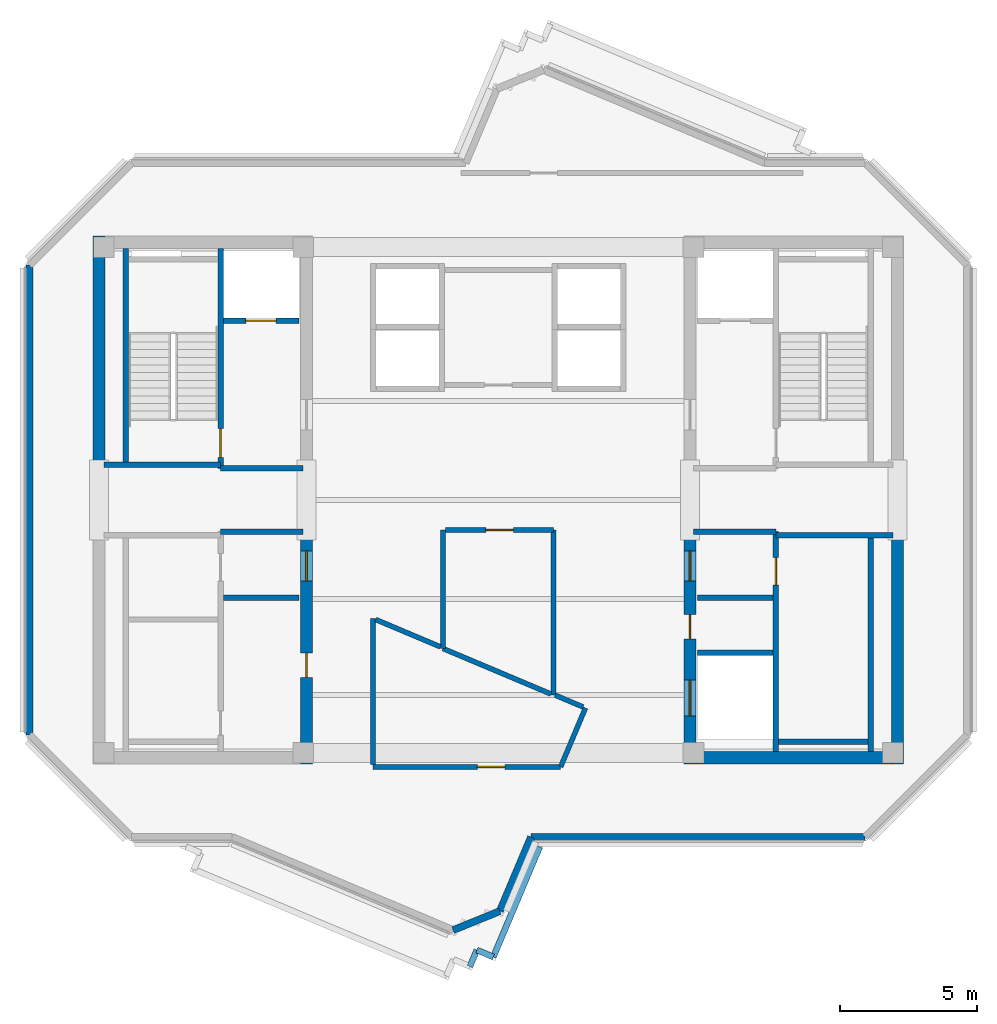
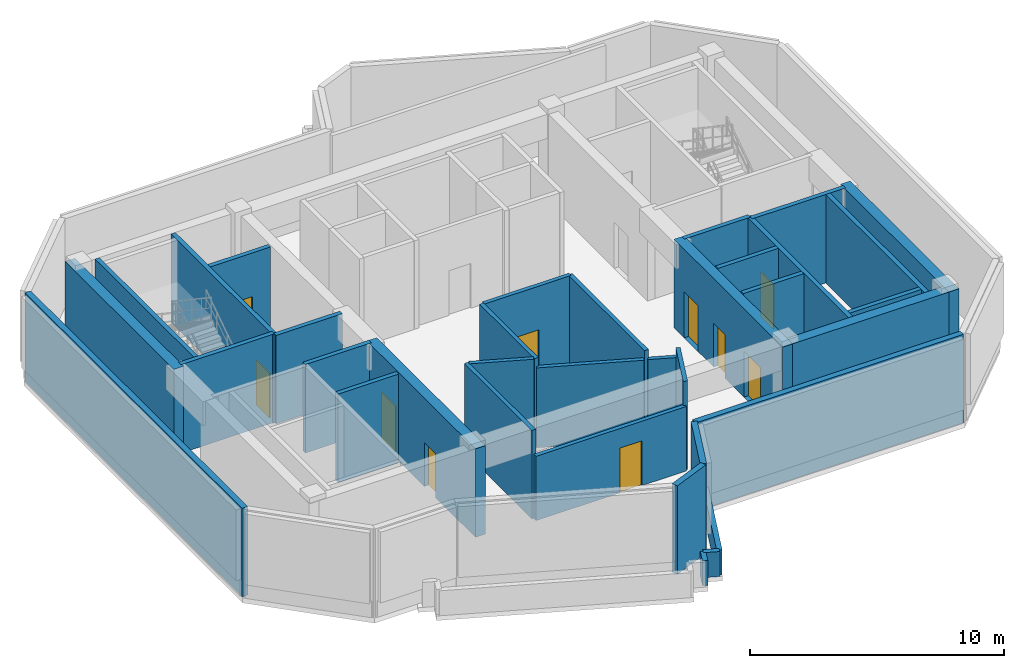
# One storey, part 2 of 6: 35 walls, 10 doors, 10 openings.
"""IFC4 building model written with IfcOpenShell, lengths in metres."""

from ifc_helpers import new_model, si_unit, direction, frame, frame_2d, origin, place, context, subcontext, project, spatial, rectangle, extrude, source, transform, mapped, material, layer, layer_set, type_object, element, fill, save


model = new_model("IFC4")

# Units and contexts
model_context = context("Model", 3, precision=1e-05, world=origin(), true_north=direction((0.0, 1.0)))
body_context = subcontext(model_context, "Body", "Model", "MODEL_VIEW")
ifc_project = project(units=[si_unit("LENGTHUNIT", "METRE"), si_unit("AREAUNIT", "SQUARE_METRE"), si_unit("VOLUMEUNIT", "CUBIC_METRE"), si_unit("PLANEANGLEUNIT", "RADIAN"), si_unit("MASSUNIT", "GRAM", prefix="KILO")], contexts=[model_context])

# Site, building, storey
site_placement = place(None, origin())
site = spatial("IfcSite", under=ifc_project, at=site_placement, CompositionType="ELEMENT")
building_placement = place(site_placement, origin())
building = spatial("IfcBuilding", under=site, at=building_placement, Name="Zahravan Cultural Tower", CompositionType="ELEMENT")
storey_placement = place(building_placement, frame((0.0, 0.0, 370.64990234375)))
storey = spatial("IfcBuildingStorey", under=building, at=storey_placement, Name="L90", CompositionType="ELEMENT", Elevation=370.64990234375)

# Wall, openings, doors
ifc_material_1 = material(Name="Concrete C50/60", Category="concrete")
ifc_layer_1 = layer(ifc_material_1, 0.449951171875)
ifc_layer_set_1 = layer_set([ifc_layer_1], Name="Concrete C50/60")
wall_type_1 = type_object("IfcWallType", Name="CW-SHEAR-450-C50", PredefinedType="SHEAR", material=ifc_layer_set_1)
wall_1_placement = place(storey_placement, frame((29.02490234375, 17.39990234375, 0.0), z_axis=(0.0, 0.0, 1.0), x_axis=(0.0, 1.0, 0.0)))
wall_1 = element("IfcWall", 1, at=wall_1_placement, inside=storey, type_object=wall_type_1, Name="L90 Core Shear Wall CW-W-ES-L90", PredefinedType="SHEAR", context=body_context, shape_type="SweptSolid", body=[
    extrude(rectangle(XDim=8.550048828125, YDim=0.449951171875, at=frame_2d((4.27490234375, 0.0))), origin(), (0.0, 0.0, 1.0), 4.25),
])
opening_1_placement = place(wall_1_placement, frame((6.64990234375, 0.0, 0.0)))
opening_1 = element("IfcOpeningElement", 2, at=opening_1_placement, cuts=wall_1, Name="Opening D-L90-08", PredefinedType="OPENING", context=body_context, shape_type="SweptSolid", body=[
    extrude(rectangle(XDim=1.10009765625, YDim=2.199951171875, at=frame_2d((0.550048828125, 1.10009765625))), frame((0.0, 0.23486328125, 0.0), z_axis=(0.0, -1.0, 0.0), x_axis=(1.0, 0.0, 0.0)), (0.0, 0.0, 1.0), 0.469970703125),
])
opening_2_placement = place(wall_1_placement, frame((3.14990234375, 0.0, 0.0)))
opening_2 = element("IfcOpeningElement", 3, at=opening_2_placement, cuts=wall_1, Name="Opening D-L90-10", PredefinedType="OPENING", context=body_context, shape_type="SweptSolid", body=[
    extrude(rectangle(XDim=0.8798828125, YDim=2.10009765625, at=frame_2d((0.43994140625, 1.050048828125))), frame((0.0, 0.23486328125, 0.0), z_axis=(0.0, -1.0, 0.0), x_axis=(1.0, 0.0, 0.0)), (0.0, 0.0, 1.0), 0.469970703125),
])
ifc_material_2 = material(Name="Steel ASTM A572 Grade 50", Category="steel")
door_type_1 = type_object("IfcDoorType", Name="DR-LOBBY-1100", OperationType="NOTDEFINED", PredefinedType="DOOR", material=ifc_material_2)
shared_shape_1 = source(origin(), body_context, "Body", "SweptSolid", [
    extrude(rectangle(XDim=1.10009765625, YDim=2.199951171875, at=frame_2d((0.550048828125, 1.10009765625))), frame((0.0, 0.02490234375, 0.0), z_axis=(0.0, -1.0, 0.0), x_axis=(1.0, 0.0, 0.0)), (0.0, 0.0, 1.0), 0.050048828125),
])
door_1_placement = place(opening_1_placement, origin())
door_1 = element("IfcDoor", 4, at=door_1_placement, inside=storey, type_object=door_type_1, Name="L90 Door D-L90-08", OperationType="SINGLE_SWING_RIGHT", OverallHeight=2.199951171875, OverallWidth=1.10009765625, PredefinedType="DOOR", context=body_context, shape_type="MappedRepresentation", body=[
    mapped(shared_shape_1, transform((0.0, 0.0, 0.0), x_axis=(1.0, 0.0, 0.0), y_axis=(0.0, 1.0, 0.0), z_axis=(0.0, 0.0, 1.0), scale=1.0)),
])
fill(opening_1, door_1)
door_type_2 = type_object("IfcDoorType", Name="DR-SVC-880", OperationType="NOTDEFINED", PredefinedType="DOOR", material=ifc_material_2)
shared_shape_2 = source(origin(), body_context, "Body", "SweptSolid", [
    extrude(rectangle(XDim=0.8798828125, YDim=2.10009765625, at=frame_2d((0.43994140625, 1.050048828125))), frame((0.0, 0.02490234375, 0.0), z_axis=(0.0, -1.0, 0.0), x_axis=(1.0, 0.0, 0.0)), (0.0, 0.0, 1.0), 0.050048828125),
])
door_2_placement = place(opening_2_placement, origin())
door_2 = element("IfcDoor", 5, at=door_2_placement, inside=storey, type_object=door_type_2, Name="L90 Door D-L90-10", OperationType="SINGLE_SWING_RIGHT", OverallHeight=2.10009765625, OverallWidth=0.8798828125, PredefinedType="DOOR", context=body_context, shape_type="MappedRepresentation", body=[
    mapped(shared_shape_2, transform((0.0, 0.0, 0.0), x_axis=(1.0, 0.0, 0.0), y_axis=(0.0, 1.0, 0.0), z_axis=(0.0, 0.0, 1.0), scale=1.0)),
])
fill(opening_2, door_2)

wall_2_placement = place(storey_placement, frame((42.97509765625, 17.39990234375, 0.0), z_axis=(0.0, 0.0, 1.0), x_axis=(0.0, 1.0, 0.0)))
wall_2 = element("IfcWall", 6, at=wall_2_placement, inside=storey, type_object=wall_type_1, Name="L90 Core Shear Wall CW-E-WS-L90", PredefinedType="SHEAR", context=body_context, shape_type="SweptSolid", body=[
    extrude(rectangle(XDim=8.550048828125, YDim=0.449951171875, at=frame_2d((4.27490234375, 0.0))), origin(), (0.0, 0.0, 1.0), 4.25),
])
opening_3_placement = place(wall_2_placement, frame((6.64990234375, 0.0, 0.0)))
opening_3 = element("IfcOpeningElement", 7, at=opening_3_placement, cuts=wall_2, Name="Opening D-L90-09", PredefinedType="OPENING", context=body_context, shape_type="SweptSolid", body=[
    extrude(rectangle(XDim=1.10009765625, YDim=2.199951171875, at=frame_2d((0.550048828125, 1.10009765625))), frame((0.0, 0.23486328125, 0.0), z_axis=(0.0, -1.0, 0.0), x_axis=(1.0, 0.0, 0.0)), (0.0, 0.0, 1.0), 0.469970703125),
])
opening_4_placement = place(wall_2_placement, frame((1.75, 0.0, 0.0)))
opening_4 = element("IfcOpeningElement", 8, at=opening_4_placement, cuts=wall_2, Name="Opening LD-L90-03", PredefinedType="OPENING", context=body_context, shape_type="SweptSolid", body=[
    extrude(rectangle(XDim=1.300048828125, YDim=2.199951171875, at=frame_2d((0.64990234375, 1.10009765625))), frame((0.0, 0.23486328125, 0.0), z_axis=(0.0, -1.0, 0.0), x_axis=(1.0, 0.0, 0.0)), (0.0, 0.0, 1.0), 0.469970703125),
])
opening_5_placement = place(wall_2_placement, frame((4.550048828125, 0.0, 0.0)))
opening_5 = element("IfcOpeningElement", 9, at=opening_5_placement, cuts=wall_2, Name="Opening D-L90-11", PredefinedType="OPENING", context=body_context, shape_type="SweptSolid", body=[
    extrude(rectangle(XDim=0.8798828125, YDim=2.10009765625, at=frame_2d((0.43994140625, 1.050048828125))), frame((0.0, 0.23486328125, 0.0), z_axis=(0.0, -1.0, 0.0), x_axis=(1.0, 0.0, 0.0)), (0.0, 0.0, 1.0), 0.469970703125),
])
door_3_placement = place(opening_3_placement, origin())
door_3 = element("IfcDoor", 10, at=door_3_placement, inside=storey, type_object=door_type_1, Name="L90 Door D-L90-09", OperationType="SINGLE_SWING_LEFT", OverallHeight=2.199951171875, OverallWidth=1.10009765625, PredefinedType="DOOR", context=body_context, shape_type="MappedRepresentation", body=[
    mapped(shared_shape_1, transform((0.0, 0.0, 0.0), x_axis=(1.0, 0.0, 0.0), y_axis=(0.0, 1.0, 0.0), z_axis=(0.0, 0.0, 1.0), scale=1.0)),
])
fill(opening_3, door_3)
door_type_3 = type_object("IfcDoorType", Name="DR-LIFT-1300", OperationType="DOUBLE_DOOR_SLIDING", PredefinedType="DOOR", material=ifc_material_2)
shared_shape_3 = source(origin(), body_context, "Body", "SweptSolid", [
    extrude(rectangle(XDim=1.300048828125, YDim=2.199951171875, at=frame_2d((0.64990234375, 1.10009765625))), frame((0.0, 0.02490234375, 0.0), z_axis=(0.0, -1.0, 0.0), x_axis=(1.0, 0.0, 0.0)), (0.0, 0.0, 1.0), 0.050048828125),
])
door_4_placement = place(opening_4_placement, origin())
door_4 = element("IfcDoor", 11, at=door_4_placement, inside=storey, type_object=door_type_3, Name="L90 Door LD-L90-03", OperationType="DOUBLE_DOOR_SLIDING", OverallHeight=2.199951171875, OverallWidth=1.300048828125, PredefinedType="DOOR", context=body_context, shape_type="MappedRepresentation", body=[
    mapped(shared_shape_3, transform((0.0, 0.0, 0.0), x_axis=(1.0, 0.0, 0.0), y_axis=(0.0, 1.0, 0.0), z_axis=(0.0, 0.0, 1.0), scale=1.0)),
])
fill(opening_4, door_4)
door_5_placement = place(opening_5_placement, origin())
door_5 = element("IfcDoor", 12, at=door_5_placement, inside=storey, type_object=door_type_2, Name="L90 Door D-L90-11", OperationType="SINGLE_SWING_LEFT", OverallHeight=2.10009765625, OverallWidth=0.8798828125, PredefinedType="DOOR", context=body_context, shape_type="MappedRepresentation", body=[
    mapped(shared_shape_2, transform((0.0, 0.0, 0.0), x_axis=(1.0, 0.0, 0.0), y_axis=(0.0, 1.0, 0.0), z_axis=(0.0, 0.0, 1.0), scale=1.0)),
])
fill(opening_5, door_5)

# Wall, opening, door
ifc_material_3 = material(Name="Gypsum plasterboard partition")
ifc_layer_2 = layer(ifc_material_3, 0.179931640625)
ifc_layer_set_2 = layer_set([ifc_layer_2], Name="Gypsum plasterboard partition")
wall_type_2 = type_object("IfcWallType", Name="W-COMP-180", PredefinedType="PARTITIONING", material=ifc_layer_set_2)
wall_3_placement = place(storey_placement, frame((34.0849609375, 25.909912109375, 0.0), z_axis=(0.0, 0.0, 1.0), x_axis=(1.0, 0.0, 0.0)))
wall_3 = element("IfcWall", 13, at=wall_3_placement, inside=storey, type_object=wall_type_2, Name="L90 Interior Wall 044", PredefinedType="PARTITIONING", context=body_context, shape_type="SweptSolid", body=[
    extrude(rectangle(XDim=3.925048828125, YDim=0.179931640625, at=frame_2d((1.96240234375, 0.0))), origin(), (0.0, 0.0, 1.0), 4.25),
])
opening_6_placement = place(wall_3_placement, frame((1.46240234375, 0.0, 0.0)))
opening_6 = element("IfcOpeningElement", 14, at=opening_6_placement, cuts=wall_3, Name="Opening D-L90-15", PredefinedType="OPENING", context=body_context, shape_type="SweptSolid", body=[
    extrude(rectangle(XDim=1.0, YDim=2.14990234375, at=frame_2d((0.5, 1.074951171875))), frame((0.0, 0.099853515625, 0.0), z_axis=(0.0, -1.0, 0.0), x_axis=(1.0, 0.0, 0.0)), (0.0, 0.0, 1.0), 0.199951171875),
])
door_type_4 = type_object("IfcDoorType", Name="DR-COMP-1000", OperationType="NOTDEFINED", PredefinedType="DOOR", material=ifc_material_2)
shared_shape_4 = source(origin(), body_context, "Body", "SweptSolid", [
    extrude(rectangle(XDim=1.0, YDim=2.14990234375, at=frame_2d((0.5, 1.074951171875))), frame((0.0, 0.02490234375, 0.0), z_axis=(0.0, -1.0, 0.0), x_axis=(1.0, 0.0, 0.0)), (0.0, 0.0, 1.0), 0.050048828125),
])
door_6_placement = place(opening_6_placement, origin())
door_6 = element("IfcDoor", 15, at=door_6_placement, inside=storey, type_object=door_type_4, Name="L90 Door D-L90-15", OperationType="SINGLE_SWING_LEFT", OverallHeight=2.14990234375, OverallWidth=1.0, PredefinedType="DOOR", context=body_context, shape_type="MappedRepresentation", body=[
    mapped(shared_shape_4, transform((0.0, 0.0, 0.0), x_axis=(1.0, 0.0, 0.0), y_axis=(0.0, 1.0, 0.0), z_axis=(0.0, 0.0, 1.0), scale=1.0)),
])
fill(opening_6, door_6)

wall_4_placement = place(storey_placement, frame((38.267333984375, 17.2900390625, 0.0), z_axis=(0.0, 0.0, 1.0), x_axis=(-1.0, 0.0, 0.0)))
wall_4 = element("IfcWall", 16, at=wall_4_placement, inside=storey, type_object=wall_type_2, Name="L90 Interior Wall 049", PredefinedType="PARTITIONING", context=body_context, shape_type="SweptSolid", body=[
    extrude(rectangle(XDim=6.827392578125, YDim=0.179931640625, at=frame_2d((3.41357421875, 0.0))), origin(), (0.0, 0.0, 1.0), 3.092041015625),
])
opening_7_placement = place(wall_4_placement, frame((2.031982421875, 0.0, 0.0)))
opening_7 = element("IfcOpeningElement", 17, at=opening_7_placement, cuts=wall_4, Name="Opening D-L90-14", PredefinedType="OPENING", context=body_context, shape_type="SweptSolid", body=[
    extrude(rectangle(XDim=1.0, YDim=2.14990234375, at=frame_2d((0.5, 1.074951171875))), frame((0.0, 0.099853515625, 0.0), z_axis=(0.0, -1.0, 0.0), x_axis=(1.0, 0.0, 0.0)), (0.0, 0.0, 1.0), 0.199951171875),
])
door_7_placement = place(opening_7_placement, origin())
door_7 = element("IfcDoor", 18, at=door_7_placement, inside=storey, type_object=door_type_4, Name="L90 Door D-L90-14", OperationType="SINGLE_SWING_RIGHT", OverallHeight=2.14990234375, OverallWidth=1.0, PredefinedType="DOOR", context=body_context, shape_type="MappedRepresentation", body=[
    mapped(shared_shape_4, transform((0.0, 0.0, 0.0), x_axis=(1.0, 0.0, 0.0), y_axis=(0.0, 1.0, 0.0), z_axis=(0.0, 0.0, 1.0), scale=1.0)),
])
fill(opening_7, door_7)

ifc_material_4 = material(Name="Concrete C45/55", Category="concrete")
ifc_layer_3 = layer(ifc_material_4, 0.199951171875)
ifc_layer_set_3 = layer_set([ifc_layer_3], Name="Concrete C45/55")
wall_type_3 = type_object("IfcWallType", Name="W-SHAFT-200", PredefinedType="SOLIDWALL", material=ifc_layer_set_3)
wall_5_placement = place(storey_placement, frame((25.89990234375, 28.14990234375, 0.0), z_axis=(0.0, 0.0, 1.0), x_axis=(0.0, 1.0, 0.0)))
wall_5 = element("IfcWall", 19, at=wall_5_placement, inside=storey, type_object=wall_type_3, Name="L90 Interior Wall 006", PredefinedType="SOLIDWALL", context=body_context, shape_type="SweptSolid", body=[
    extrude(rectangle(XDim=8.0, YDim=0.199951171875, at=frame_2d((4.0, 0.0))), origin(), (0.0, 0.0, 1.0), 4.25),
])
opening_8_placement = place(wall_5_placement, frame((0.39990234375, 0.0, 0.0)))
opening_8 = element("IfcOpeningElement", 20, at=opening_8_placement, cuts=wall_5, Name="Opening D-L90-01", PredefinedType="OPENING", context=body_context, shape_type="SweptSolid", body=[
    extrude(rectangle(XDim=1.050048828125, YDim=2.14990234375, at=frame_2d((0.52490234375, 1.074951171875))), frame((0.0, 0.10986328125, 0.0), z_axis=(0.0, -1.0, 0.0), x_axis=(1.0, 0.0, 0.0)), (0.0, 0.0, 1.0), 0.219970703125),
])
door_type_5 = type_object("IfcDoorType", Name="DR-STAIR-1050", OperationType="NOTDEFINED", PredefinedType="DOOR", material=ifc_material_2)
shared_shape_5 = source(origin(), body_context, "Body", "SweptSolid", [
    extrude(rectangle(XDim=1.050048828125, YDim=2.14990234375, at=frame_2d((0.52490234375, 1.074951171875))), frame((0.0, 0.02490234375, 0.0), z_axis=(0.0, -1.0, 0.0), x_axis=(1.0, 0.0, 0.0)), (0.0, 0.0, 1.0), 0.050048828125),
])
door_8_placement = place(opening_8_placement, origin())
door_8 = element("IfcDoor", 21, at=door_8_placement, inside=storey, type_object=door_type_5, Name="L90 Door D-L90-01", OperationType="SINGLE_SWING_LEFT", OverallHeight=2.14990234375, OverallWidth=1.050048828125, PredefinedType="DOOR", context=body_context, shape_type="MappedRepresentation", body=[
    mapped(shared_shape_5, transform((0.0, 0.0, 0.0), x_axis=(1.0, 0.0, 0.0), y_axis=(0.0, 1.0, 0.0), z_axis=(0.0, 0.0, 1.0), scale=1.0)),
])
fill(opening_8, door_8)

wall_6_placement = place(storey_placement, frame((46.10009765625, 17.85009765625, 0.0), z_axis=(0.0, 0.0, 1.0), x_axis=(0.0, 1.0, 0.0)))
wall_6 = element("IfcWall", 22, at=wall_6_placement, inside=storey, type_object=wall_type_3, Name="L90 Interior Wall 007", PredefinedType="SOLIDWALL", context=body_context, shape_type="SweptSolid", body=[
    extrude(rectangle(XDim=8.0, YDim=0.199951171875, at=frame_2d((4.0, 0.0))), origin(), (0.0, 0.0, 1.0), 4.25),
])
opening_9_placement = place(wall_6_placement, frame((6.050048828125, 0.0, 0.0)))
opening_9 = element("IfcOpeningElement", 23, at=opening_9_placement, cuts=wall_6, Name="Opening D-L90-03", PredefinedType="OPENING", context=body_context, shape_type="SweptSolid", body=[
    extrude(rectangle(XDim=1.0, YDim=2.14990234375, at=frame_2d((0.5, 1.074951171875))), frame((0.0, 0.10986328125, 0.0), z_axis=(0.0, -1.0, 0.0), x_axis=(1.0, 0.0, 0.0)), (0.0, 0.0, 1.0), 0.219970703125),
])
door_9_placement = place(opening_9_placement, origin())
door_9 = element("IfcDoor", 24, at=door_9_placement, inside=storey, type_object=door_type_4, Name="L90 Door D-L90-03", OperationType="SINGLE_SWING_LEFT", OverallHeight=2.14990234375, OverallWidth=1.0, PredefinedType="DOOR", context=body_context, shape_type="MappedRepresentation", body=[
    mapped(shared_shape_4, transform((0.0, 0.0, 0.0), x_axis=(1.0, 0.0, 0.0), y_axis=(0.0, 1.0, 0.0), z_axis=(0.0, 0.0, 1.0), scale=1.0)),
])
fill(opening_9, door_9)

wall_7_placement = place(storey_placement, frame((26.0, 33.52001953125, 0.0), z_axis=(0.0, 0.0, 1.0), x_axis=(1.0, 0.0, 0.0)))
wall_7 = element("IfcWall", 25, at=wall_7_placement, inside=storey, type_object=wall_type_3, Name="L90 Interior Wall 022", PredefinedType="SOLIDWALL", context=body_context, shape_type="SweptSolid", body=[
    extrude(rectangle(XDim=2.75, YDim=0.199951171875, at=frame_2d((1.375, 0.0))), origin(), (0.0, 0.0, 1.0), 4.25),
])
opening_10_placement = place(wall_7_placement, frame((0.820068359375, 0.0, 0.0)))
opening_10 = element("IfcOpeningElement", 26, at=opening_10_placement, cuts=wall_7, Name="Opening LD-L90-01", PredefinedType="OPENING", context=body_context, shape_type="SweptSolid", body=[
    extrude(rectangle(XDim=1.10009765625, YDim=2.14990234375, at=frame_2d((0.550048828125, 1.074951171875))), frame((0.0, 0.10986328125, 0.0), z_axis=(0.0, -1.0, 0.0), x_axis=(1.0, 0.0, 0.0)), (0.0, 0.0, 1.0), 0.219970703125),
])
door_type_6 = type_object("IfcDoorType", Name="DR-LIFT-1100", OperationType="DOUBLE_DOOR_SLIDING", PredefinedType="DOOR", material=ifc_material_2)
shared_shape_6 = source(origin(), body_context, "Body", "SweptSolid", [
    extrude(rectangle(XDim=1.10009765625, YDim=2.14990234375, at=frame_2d((0.550048828125, 1.074951171875))), frame((0.0, 0.02490234375, 0.0), z_axis=(0.0, -1.0, 0.0), x_axis=(1.0, 0.0, 0.0)), (0.0, 0.0, 1.0), 0.050048828125),
])
door_10_placement = place(opening_10_placement, origin())
door_10 = element("IfcDoor", 27, at=door_10_placement, inside=storey, type_object=door_type_6, Name="L90 Door LD-L90-01", OperationType="DOUBLE_DOOR_SLIDING", OverallHeight=2.14990234375, OverallWidth=1.10009765625, PredefinedType="DOOR", context=body_context, shape_type="MappedRepresentation", body=[
    mapped(shared_shape_6, transform((0.0, 0.0, 0.0), x_axis=(1.0, 0.0, 0.0), y_axis=(0.0, 1.0, 0.0), z_axis=(0.0, 0.0, 1.0), scale=1.0)),
])
fill(opening_10, door_10)

# Walls
shared_shape_7 = source(origin(), body_context, "Body", "SweptSolid", [
    extrude(rectangle(XDim=8.550048828125, YDim=0.449951171875, at=frame_2d((4.27490234375, 0.0))), origin(), (0.0, 0.0, 1.0), 4.25),
])
for number, where, z_axis, x_axis, name in (
    (28, (21.47509765625, 28.050048828125, 0.0), (0.0, 0.0, 1.0), (0.0, 1.0, 0.0), "L90 Core Shear Wall CW-W-WN-L90"),
    (29, (50.52490234375, 17.39990234375, 0.0), (0.0, 0.0, 1.0), (0.0, 1.0, 0.0), "L90 Core Shear Wall CW-E-ES-L90"),
):
    element("IfcWall", number, at=place(storey_placement, frame(where, z_axis=z_axis, x_axis=x_axis)), inside=storey, type_object=wall_type_1, Name=name, PredefinedType="SHEAR", context=body_context, shape_type="MappedRepresentation", body=[
        mapped(shared_shape_7, transform((0.0, 0.0, 0.0), x_axis=(1.0, 0.0, 0.0), y_axis=(0.0, 1.0, 0.0), z_axis=(0.0, 0.0, 1.0), scale=1.0)),
    ])
shared_shape_8 = source(origin(), body_context, "Body", "SweptSolid", [
    extrude(rectangle(XDim=7.10009765625, YDim=0.449951171875, at=frame_2d((3.550048828125, 0.0))), origin(), (0.0, 0.0, 1.0), 4.25),
])
wall_8_placement = place(storey_placement, frame((43.199951171875, 17.625, 0.0), z_axis=(0.0, 0.0, 1.0), x_axis=(1.0, 0.0, 0.0)))
element("IfcWall", 30, at=wall_8_placement, inside=storey, type_object=wall_type_1, Name="L90 Core Shear Wall CW-E-S-L90", PredefinedType="SHEAR", context=body_context, shape_type="MappedRepresentation", body=[
    mapped(shared_shape_8, transform((0.0, 0.0, 0.0), x_axis=(1.0, 0.0, 0.0), y_axis=(0.0, 1.0, 0.0), z_axis=(0.0, 0.0, 1.0), scale=1.0)),
])
ifc_material_5 = material(Name="Precast concrete C40/50", Category="concrete")
ifc_layer_4 = layer(ifc_material_5, 0.219970703125)
ifc_layer_set_4 = layer_set([ifc_layer_4], Name="Precast concrete C40/50")
wall_type_4 = type_object("IfcWallType", Name="EW-PARAPET-220", PredefinedType="PARAPET", material=ifc_layer_set_4)
shared_shape_9 = source(origin(), body_context, "Body", "SweptSolid", [
    extrude(rectangle(XDim=0.650146484375, YDim=0.219970703125, at=frame_2d((0.3251953125, 0.0))), origin(), (0.0, 0.0, 1.0), 1.2001953125),
])
wall_9_placement = place(storey_placement, frame((35.22119140625, 10.627685546875, 0.0), z_axis=(0.0, 0.0, 1.0), x_axis=(-0.388292021409, -0.921536383498, 0.0)))
element("IfcWall", 31, at=wall_9_placement, inside=storey, type_object=wall_type_4, Name="L90 Setback Roof Parapet 1", PredefinedType="PARAPET", context=body_context, shape_type="MappedRepresentation", body=[
    mapped(shared_shape_9, transform((0.0, 0.0, 0.0), x_axis=(1.0, 0.0, 0.0), y_axis=(0.0, 1.0, 0.0), z_axis=(0.0, 0.0, 1.0), scale=1.0)),
])
shared_shape_10 = source(origin(), body_context, "Body", "SweptSolid", [
    extrude(rectangle(XDim=0.64990234375, YDim=0.219970703125, at=frame_2d((0.324951171875, 0.0))), origin(), (0.0, 0.0, 1.0), 1.2001953125),
])
wall_10_placement = place(storey_placement, frame((35.820068359375, 10.375244140625, 0.0), z_axis=(0.0, 0.0, 1.0), x_axis=(-0.921479736051, 0.388426435824, 0.0)))
element("IfcWall", 32, at=wall_10_placement, inside=storey, type_object=wall_type_4, Name="L90 Setback Roof Parapet 8", PredefinedType="PARAPET", context=body_context, shape_type="MappedRepresentation", body=[
    mapped(shared_shape_10, transform((0.0, 0.0, 0.0), x_axis=(1.0, 0.0, 0.0), y_axis=(0.0, 1.0, 0.0), z_axis=(0.0, 0.0, 1.0), scale=1.0)),
])
shared_shape_11 = source(origin(), body_context, "Body", "SweptSolid", [
    extrude(rectangle(XDim=4.345703125, YDim=0.219970703125, at=frame_2d((2.1728515625, 0.0))), origin(), (0.0, 0.0, 1.0), 1.2001953125),
])
wall_11_placement = place(storey_placement, frame((37.5078125, 14.3798828125, 0.0), z_axis=(0.0, 0.0, 1.0), x_axis=(-0.38836589704, -0.9215052523, 0.0)))
element("IfcWall", 33, at=wall_11_placement, inside=storey, type_object=wall_type_4, Name="L90 Setback Roof Parapet 7", PredefinedType="PARAPET", context=body_context, shape_type="MappedRepresentation", body=[
    mapped(shared_shape_11, transform((0.0, 0.0, 0.0), x_axis=(1.0, 0.0, 0.0), y_axis=(0.0, 1.0, 0.0), z_axis=(0.0, 0.0, 1.0), scale=1.0)),
])
ifc_layer_5 = layer(ifc_material_5, 0.260009765625)
ifc_layer_set_5 = layer_set([ifc_layer_5], Name="Precast concrete C40/50")
wall_type_5 = type_object("IfcWallType", Name="EW-CROWN-260", PredefinedType="SOLIDWALL", material=ifc_layer_set_5)
shared_shape_12 = source(origin(), body_context, "Body", "SweptSolid", [
    extrude(rectangle(XDim=2.92529296875, YDim=0.260009765625, at=frame_2d((1.462646484375, 0.0))), origin(), (0.0, 0.0, 1.0), 4.25),
])
wall_12_placement = place(storey_placement, frame((37.19287109375, 14.739990234375, 0.0), z_axis=(0.0, 0.0, 1.0), x_axis=(-0.388321883953, -0.921523800259, 0.0)))
element("IfcWall", 34, at=wall_12_placement, inside=storey, type_object=wall_type_5, Name="L90 Exterior Masonry Frame Wall 09", PredefinedType="SOLIDWALL", context=body_context, shape_type="MappedRepresentation", body=[
    mapped(shared_shape_12, transform((0.0, 0.0, 0.0), x_axis=(1.0, 0.0, 0.0), y_axis=(0.0, 1.0, 0.0), z_axis=(0.0, 0.0, 1.0), scale=1.0)),
])
shared_shape_13 = source(origin(), body_context, "Body", "SweptSolid", [
    extrude(rectangle(XDim=1.838623046875, YDim=0.260009765625, at=frame_2d((0.91943359375, 0.0))), origin(), (0.0, 0.0, 1.0), 4.25),
])
wall_13_placement = place(storey_placement, frame((36.056884765625, 12.044189453125, 0.0), z_axis=(0.0, 0.0, 1.0), x_axis=(-0.926216039781, -0.376993166586, 0.0)))
element("IfcWall", 35, at=wall_13_placement, inside=storey, type_object=wall_type_5, Name="L90 Exterior Masonry Frame Wall 10", PredefinedType="SOLIDWALL", context=body_context, shape_type="MappedRepresentation", body=[
    mapped(shared_shape_13, transform((0.0, 0.0, 0.0), x_axis=(1.0, 0.0, 0.0), y_axis=(0.0, 1.0, 0.0), z_axis=(0.0, 0.0, 1.0), scale=1.0)),
])
shared_shape_14 = source(origin(), body_context, "Body", "SweptSolid", [
    extrude(rectangle(XDim=17.083984375, YDim=0.260009765625, at=frame_2d((8.5419921875, 0.0))), origin(), (0.0, 0.0, 1.0), 4.25),
])
wall_14_placement = place(storey_placement, frame((18.93994140625, 18.4580078125, 0.0), z_axis=(0.0, 0.0, 1.0), x_axis=(0.0, 1.0, 0.0)))
element("IfcWall", 36, at=wall_14_placement, inside=storey, type_object=wall_type_5, Name="L90 Exterior Masonry Frame Wall 14", PredefinedType="SOLIDWALL", context=body_context, shape_type="MappedRepresentation", body=[
    mapped(shared_shape_14, transform((0.0, 0.0, 0.0), x_axis=(1.0, 0.0, 0.0), y_axis=(0.0, 1.0, 0.0), z_axis=(0.0, 0.0, 1.0), scale=1.0)),
])
shared_shape_15 = source(origin(), body_context, "Body", "SweptSolid", [
    extrude(rectangle(XDim=12.149169921875, YDim=0.260009765625, at=frame_2d((6.07470703125, 0.0))), origin(), (0.0, 0.0, 1.0), 4.25),
])
wall_15_placement = place(storey_placement, frame((49.342041015625, 14.739990234375, 0.0), z_axis=(0.0, 0.0, 1.0), x_axis=(-1.0, 0.0, 0.0)))
element("IfcWall", 37, at=wall_15_placement, inside=storey, type_object=wall_type_5, Name="L90 Exterior Masonry Frame Wall 08", PredefinedType="SOLIDWALL", context=body_context, shape_type="MappedRepresentation", body=[
    mapped(shared_shape_15, transform((0.0, 0.0, 0.0), x_axis=(1.0, 0.0, 0.0), y_axis=(0.0, 1.0, 0.0), z_axis=(0.0, 0.0, 1.0), scale=1.0)),
])
shared_shape_16 = source(origin(), body_context, "Body", "SweptSolid", [
    extrude(rectangle(XDim=7.869873046875, YDim=0.199951171875, at=frame_2d((3.93505859375, 0.0))), origin(), (0.0, 0.0, 1.0), 4.25),
])
for number, where, z_axis, x_axis, name in (
    (38, (22.449951171875, 28.280029296875, 0.0), (0.0, 0.0, 1.0), (0.0, 1.0, 0.0), "L90 Interior Wall 002"),
    (39, (49.550048828125, 17.85009765625, 0.0), (0.0, 0.0, 1.0), (0.0, 1.0, 0.0), "L90 Interior Wall 003"),
):
    element("IfcWall", number, at=place(storey_placement, frame(where, z_axis=z_axis, x_axis=x_axis)), inside=storey, type_object=wall_type_3, Name=name, PredefinedType="SOLIDWALL", context=body_context, shape_type="MappedRepresentation", body=[
        mapped(shared_shape_16, transform((0.0, 0.0, 0.0), x_axis=(1.0, 0.0, 0.0), y_axis=(0.0, 1.0, 0.0), z_axis=(0.0, 0.0, 1.0), scale=1.0)),
    ])
shared_shape_17 = source(origin(), body_context, "Body", "SweptSolid", [
    extrude(rectangle(XDim=4.25, YDim=0.199951171875, at=frame_2d((2.125, 0.0))), origin(), (0.0, 0.0, 1.0), 4.25),
])
for number, where, z_axis, x_axis, name in (
    (40, (21.64990234375, 28.284912109375, 0.0), (0.0, 0.0, 1.0), (1.0, 0.0, 0.0), "L90 Interior Wall 011"),
    (41, (46.10009765625, 25.715087890625, 0.0), (0.0, 0.0, 1.0), (1.0, 0.0, 0.0), "L90 Interior Wall 014"),
):
    element("IfcWall", number, at=place(storey_placement, frame(where, z_axis=z_axis, x_axis=x_axis)), inside=storey, type_object=wall_type_3, Name=name, PredefinedType="SOLIDWALL", context=body_context, shape_type="MappedRepresentation", body=[
        mapped(shared_shape_17, transform((0.0, 0.0, 0.0), x_axis=(1.0, 0.0, 0.0), y_axis=(0.0, 1.0, 0.0), z_axis=(0.0, 0.0, 1.0), scale=1.0)),
    ])
shared_shape_18 = source(origin(), body_context, "Body", "SweptSolid", [
    extrude(rectangle(XDim=3.0, YDim=0.199951171875, at=frame_2d((1.5, 0.0))), origin(), (0.0, 0.0, 1.0), 4.25),
])
for number, where, z_axis, x_axis, name in (
    (42, (25.89990234375, 25.85009765625, 0.0), (0.0, 0.0, 1.0), (1.0, 0.0, 0.0), "L90 Interior Wall 010"),
    (43, (25.89990234375, 28.14990234375, 0.0), (0.0, 0.0, 1.0), (1.0, 0.0, 0.0), "L90 Interior Wall 012"),
    (44, (43.10009765625, 25.85009765625, 0.0), (0.0, 0.0, 1.0), (1.0, 0.0, 0.0), "L90 Interior Wall 013"),
):
    element("IfcWall", number, at=place(storey_placement, frame(where, z_axis=z_axis, x_axis=x_axis)), inside=storey, type_object=wall_type_3, Name=name, PredefinedType="SOLIDWALL", context=body_context, shape_type="MappedRepresentation", body=[
        mapped(shared_shape_18, transform((0.0, 0.0, 0.0), x_axis=(1.0, 0.0, 0.0), y_axis=(0.0, 1.0, 0.0), z_axis=(0.0, 0.0, 1.0), scale=1.0)),
    ])
shared_shape_19 = source(origin(), body_context, "Body", "SweptSolid", [
    extrude(rectangle(XDim=3.25, YDim=0.199951171875, at=frame_2d((1.625, 0.0))), origin(), (0.0, 0.0, 1.0), 4.25),
])
wall_16_placement = place(storey_placement, frame((46.199951171875, 18.199951171875, 0.0), z_axis=(0.0, 0.0, 1.0), x_axis=(1.0, 0.0, 0.0)))
element("IfcWall", 45, at=wall_16_placement, inside=storey, type_object=wall_type_3, Name="L90 Interior Wall 020", PredefinedType="SOLIDWALL", context=body_context, shape_type="MappedRepresentation", body=[
    mapped(shared_shape_19, transform((0.0, 0.0, 0.0), x_axis=(1.0, 0.0, 0.0), y_axis=(0.0, 1.0, 0.0), z_axis=(0.0, 0.0, 1.0), scale=1.0)),
])
shared_shape_20 = source(origin(), body_context, "Body", "SweptSolid", [
    extrude(rectangle(XDim=2.75, YDim=0.199951171875, at=frame_2d((1.375, 0.0))), origin(), (0.0, 0.0, 1.0), 4.25),
])
for number, where, z_axis, x_axis, name in (
    (46, (26.0, 23.449951171875, 0.0), (0.0, 0.0, 1.0), (1.0, 0.0, 0.0), "L90 Interior Wall 024"),
    (47, (43.25, 23.449951171875, 0.0), (0.0, 0.0, 1.0), (1.0, 0.0, 0.0), "L90 Interior Wall 025"),
    (48, (43.25, 21.449951171875, 0.0), (0.0, 0.0, 1.0), (1.0, 0.0, 0.0), "L90 Interior Wall 026"),
):
    element("IfcWall", number, at=place(storey_placement, frame(where, z_axis=z_axis, x_axis=x_axis)), inside=storey, type_object=wall_type_3, Name=name, PredefinedType="SOLIDWALL", context=body_context, shape_type="MappedRepresentation", body=[
        mapped(shared_shape_20, transform((0.0, 0.0, 0.0), x_axis=(1.0, 0.0, 0.0), y_axis=(0.0, 1.0, 0.0), z_axis=(0.0, 0.0, 1.0), scale=1.0)),
    ])
shared_shape_21 = source(origin(), body_context, "Body", "SweptSolid", [
    extrude(rectangle(XDim=4.3134765625, YDim=0.179931640625, at=frame_2d((2.15673828125, 0.0))), origin(), (0.0, 0.0, 1.0), 4.25),
])
wall_17_placement = place(storey_placement, frame((33.989990234375, 21.596435546875, 0.0), z_axis=(0.0, 0.0, 1.0), x_axis=(0.0, 1.0, 0.0)))
element("IfcWall", 49, at=wall_17_placement, inside=storey, type_object=wall_type_2, Name="L90 Interior Wall 043", PredefinedType="PARTITIONING", context=body_context, shape_type="MappedRepresentation", body=[
    mapped(shared_shape_21, transform((0.0, 0.0, 0.0), x_axis=(1.0, 0.0, 0.0), y_axis=(0.0, 1.0, 0.0), z_axis=(0.0, 0.0, 1.0), scale=1.0)),
])
shared_shape_22 = source(origin(), body_context, "Body", "SweptSolid", [
    extrude(rectangle(XDim=6.00732421875, YDim=0.179931640625, at=frame_2d((3.003662109375, 0.0))), origin(), (0.0, 0.0, 1.0), 4.25),
])
wall_18_placement = place(storey_placement, frame((38.010009765625, 25.909912109375, 0.0), z_axis=(0.0, 0.0, 1.0), x_axis=(0.0, -1.0, 0.0)))
element("IfcWall", 50, at=wall_18_placement, inside=storey, type_object=wall_type_2, Name="L90 Interior Wall 045", PredefinedType="PARTITIONING", context=body_context, shape_type="MappedRepresentation", body=[
    mapped(shared_shape_22, transform((0.0, 0.0, 0.0), x_axis=(1.0, 0.0, 0.0), y_axis=(0.0, 1.0, 0.0), z_axis=(0.0, 0.0, 1.0), scale=1.0)),
])
shared_shape_23 = source(origin(), body_context, "Body", "SweptSolid", [
    extrude(rectangle(XDim=4.25927734375, YDim=0.179931640625, at=frame_2d((2.129638671875, 0.0))), origin(), (0.0, 0.0, 1.0), 3.836181640625),
])
wall_19_placement = place(storey_placement, frame((37.9150390625, 19.9423828125, 0.0), z_axis=(0.0, 0.0, 1.0), x_axis=(-0.921517727691, 0.388336294403, 0.0)))
element("IfcWall", 51, at=wall_19_placement, inside=storey, type_object=wall_type_2, Name="L90 Interior Wall 046", PredefinedType="PARTITIONING", context=body_context, shape_type="MappedRepresentation", body=[
    mapped(shared_shape_23, transform((0.0, 0.0, 0.0), x_axis=(1.0, 0.0, 0.0), y_axis=(0.0, 1.0, 0.0), z_axis=(0.0, 0.0, 1.0), scale=1.0)),
])
shared_shape_24 = source(origin(), body_context, "Body", "SweptSolid", [
    extrude(rectangle(XDim=2.327392578125, YDim=0.179931640625, at=frame_2d((1.16357421875, 0.0))), origin(), (0.0, 0.0, 1.0), 4.25),
])
wall_20_placement = place(storey_placement, frame((39.171142578125, 19.434814453125, 0.0), z_axis=(0.0, 0.0, 1.0), x_axis=(-0.388328975107, -0.921520812078, 0.0)))
element("IfcWall", 52, at=wall_20_placement, inside=storey, type_object=wall_type_2, Name="L90 Interior Wall 048", PredefinedType="PARTITIONING", context=body_context, shape_type="MappedRepresentation", body=[
    mapped(shared_shape_24, transform((0.0, 0.0, 0.0), x_axis=(1.0, 0.0, 0.0), y_axis=(0.0, 1.0, 0.0), z_axis=(0.0, 0.0, 1.0), scale=1.0)),
])
shared_shape_25 = source(origin(), body_context, "Body", "SweptSolid", [
    extrude(rectangle(XDim=5.3076171875, YDim=0.179931640625, at=frame_2d((2.65380859375, 0.0))), origin(), (0.0, 0.0, 1.0), 4.25),
])
wall_21_placement = place(storey_placement, frame((31.43994140625, 17.385009765625, 0.0), z_axis=(0.0, 0.0, 1.0), x_axis=(0.0, 1.0, 0.0)))
element("IfcWall", 53, at=wall_21_placement, inside=storey, type_object=wall_type_2, Name="L90 Interior Wall 050", PredefinedType="PARTITIONING", context=body_context, shape_type="MappedRepresentation", body=[
    mapped(shared_shape_25, transform((0.0, 0.0, 0.0), x_axis=(1.0, 0.0, 0.0), y_axis=(0.0, 1.0, 0.0), z_axis=(0.0, 0.0, 1.0), scale=1.0)),
])
shared_shape_26 = source(origin(), body_context, "Body", "SweptSolid", [
    extrude(rectangle(XDim=2.56103515625, YDim=0.179931640625, at=frame_2d((1.280517578125, 0.0))), origin(), (0.0, 0.0, 1.0), 4.25),
])
wall_22_placement = place(storey_placement, frame((31.534912109375, 22.652587890625, 0.0), z_axis=(0.0, 0.0, 1.0), x_axis=(0.921543833829, -0.388274339008, 0.0)))
element("IfcWall", 54, at=wall_22_placement, inside=storey, type_object=wall_type_2, Name="L90 Interior Wall 051", PredefinedType="PARTITIONING", context=body_context, shape_type="MappedRepresentation", body=[
    mapped(shared_shape_26, transform((0.0, 0.0, 0.0), x_axis=(1.0, 0.0, 0.0), y_axis=(0.0, 1.0, 0.0), z_axis=(0.0, 0.0, 1.0), scale=1.0)),
])
shared_shape_27 = source(origin(), body_context, "Body", "SweptSolid", [
    extrude(rectangle(XDim=1.109375, YDim=0.179931640625, at=frame_2d((0.5546875, 0.0))), origin(), (0.0, 0.0, 1.0), 3.836181640625),
])
wall_23_placement = place(storey_placement, frame((38.0615234375, 19.902587890625, 0.0), z_axis=(0.0, 0.0, 1.0), x_axis=(0.921473730863, -0.388440681866, 0.0)))
element("IfcWall", 55, at=wall_23_placement, inside=storey, type_object=wall_type_2, Name="L90 Interior Wall 052", PredefinedType="PARTITIONING", context=body_context, shape_type="MappedRepresentation", body=[
    mapped(shared_shape_27, transform((0.0, 0.0, 0.0), x_axis=(1.0, 0.0, 0.0), y_axis=(0.0, 1.0, 0.0), z_axis=(0.0, 0.0, 1.0), scale=1.0)),
])

save(model, "model.ifc")
